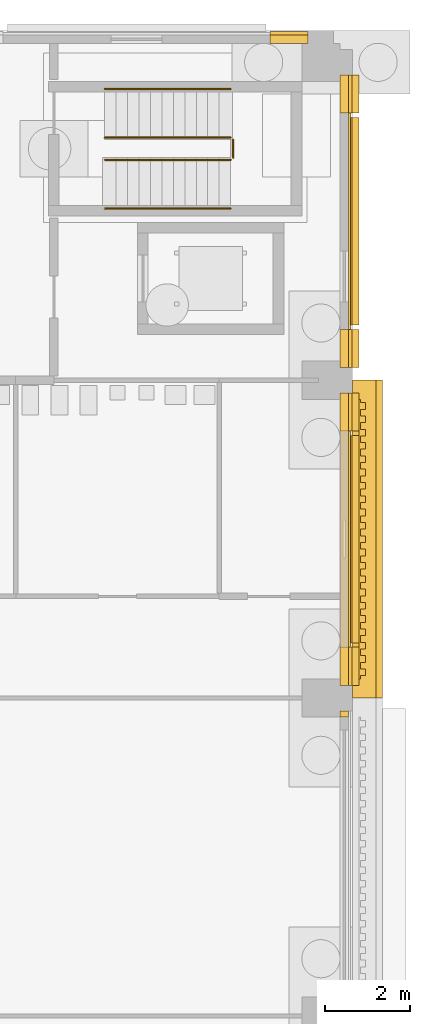
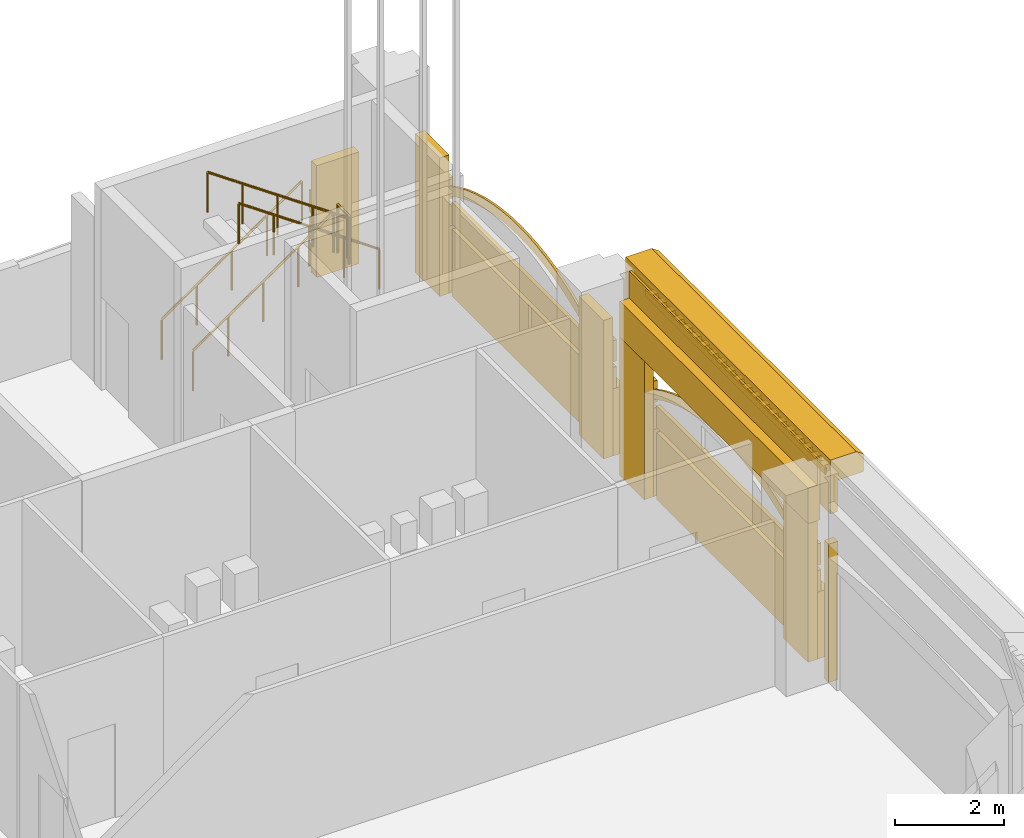
# One storey, part 90 of 99: 30 coverings, 5 railings.
"""IFC4 building model written with IfcOpenShell, lengths in metres."""

from ifc_helpers import new_model, si_unit, direction, frame, origin, origin_2d, place, context, subcontext, project, spatial, polyline, circle, outline, extrude, material, layer, layer_set, type_object, element, save


model = new_model("IFC4")

# Units and contexts
model_context = context("Model", 3, precision=1e-05, world=origin(), true_north=direction((0.0, 1.0)))
body_context = subcontext(model_context, "Body", "Model", "MODEL_VIEW")
ifc_project = project(units=[si_unit("LENGTHUNIT", "METRE"), si_unit("AREAUNIT", "SQUARE_METRE"), si_unit("VOLUMEUNIT", "CUBIC_METRE"), si_unit("PLANEANGLEUNIT", "RADIAN"), si_unit("MASSUNIT", "GRAM", prefix="KILO")], contexts=[model_context])

# Site, building, storey
site_placement = place(None, origin())
site = spatial("IfcSite", under=ifc_project, at=site_placement, CompositionType="ELEMENT")
building_placement = place(site_placement, origin())
building = spatial("IfcBuilding", under=site, at=building_placement, Name="Cour d'Honneur Mobility Palace", CompositionType="ELEMENT")
storey_placement = place(building_placement, origin())
storey = spatial("IfcBuildingStorey", under=building, at=storey_placement, Name="L00", CompositionType="ELEMENT", Elevation=0.0)

# Coverings
ifc_material_1 = material(Name="Cast limestone", Category="masonry")
ifc_layer_1 = layer(ifc_material_1, 0.050048828125)
ifc_layer_set_1 = layer_set([ifc_layer_1], Name="Cast limestone")
covering_type_1 = type_object("IfcCoveringType", Name="Arch hood", PredefinedType="CLADDING", material=ifc_layer_set_1)
for number, where, z_axis, x_axis, name in (
    (1, (163.0, 101.10009765625, 2.179931640625), (1.0, 0.0, 0.0), (0.0, 0.893466628376, 0.449129584839), "Arch hood AH-40"),
    (2, (163.0, 108.60009765625, 2.179931640625), (1.0, 0.0, 0.0), (0.0, 0.893466628376, 0.449129584839), "Arch hood AH-41"),
):
    element("IfcCovering", number, at=place(storey_placement, frame(where, z_axis=z_axis, x_axis=x_axis)), inside=storey, type_object=covering_type_1, Name=name, PredefinedType="CLADDING", context=body_context, shape_type="SweptSolid", body=[
        extrude(outline(polyline([(0.0, 0.0), (0.35659251896621735, 0.0), (0.7019994885684498, -0.022795326888668588), (1.0365522012474004, -0.0666397586034293), (1.3614544754480467, -0.13022567619190017), (1.6770364335570624, -0.21235277137119013), (1.9834088964060255, -0.3122569988605455), (2.2812274285521696, -0.4297213972129261), (2.5701654177709066, -0.564308533372167), (2.850768777841922, -0.7160195773922962), (3.122709726486599, -0.8849630099968336), (3.38566048142632, -1.0712473119092998), (3.6398380041081246, -1.2755280476869282), (3.8844770791972314, -1.4982403102778272), (4.119465715808033, -1.740694058742436), (4.343818226996622, -2.004306562810686), (4.556548925819088, -2.2904950922125074), (4.655344276390369, -2.0939586097498237), (4.44272322834545, -1.807551948846934), (4.218261066379314, -1.5441575762797524), (3.983272429768512, -1.3017038278151434), (3.7387430054569535, -1.078773433723176), (3.4844558319976, -0.8747108294466162), (3.221505077057879, -0.68842652753415), (2.949564128413202, -0.5194830949296125), (2.6689607683421865, -0.3677720509094833), (2.3800227791234496, -0.2331849147502425), (2.0822042469773057, -0.11572051639786185), (1.7758317841283424, -0.015816288908506504), (1.4603594767968753, 0.06652893777185187), (1.1353475518186806, 0.12989672385925438), (0.8007948391397299, 0.17374115557401504), (0.45549752031504603, 0.1967546139637521), (0.09879535057128006, 0.19653648246268365), (0.0, 0.0)])), origin(), (0.0, 0.0, -1.0), 0.050048828125),
    ])
ifc_material_2 = material(Name="Cast limestone", Category="masonry")
ifc_layer_2 = layer(ifc_material_2, 0.14990234375)
ifc_layer_set_2 = layer_set([ifc_layer_2], Name="Cast limestone")
covering_type_2 = type_object("IfcCoveringType", Name="Dentil course", PredefinedType="CLADDING", material=ifc_layer_set_2)
covering_1_placement = place(storey_placement, frame((0.0, 0.0, 3.949951171875)))
element("IfcCovering", 3, at=covering_1_placement, inside=storey, type_object=covering_type_2, Name="Dentil course DC-30", PredefinedType="CLADDING", context=body_context, shape_type="SweptSolid", body=[
    extrude(outline(polyline([(163.199951171875, 100.35009765625), (163.199951171875, 106.949951171875), (163.22998046875, 106.949951171875), (163.22998046875, 106.949951171875), (163.22998046875, 106.871337890625), (163.35009765625, 106.871337890625), (163.35009765625, 106.71435546875), (163.22998046875, 106.71435546875), (163.22998046875, 106.6357421875), (163.22998046875, 106.6357421875), (163.22998046875, 106.55712890625), (163.35009765625, 106.55712890625), (163.35009765625, 106.39990234375), (163.22998046875, 106.39990234375), (163.22998046875, 106.321533203125), (163.22998046875, 106.321533203125), (163.22998046875, 106.242919921875), (163.35009765625, 106.242919921875), (163.35009765625, 106.085693359375), (163.22998046875, 106.085693359375), (163.22998046875, 106.007080078125), (163.22998046875, 106.007080078125), (163.22998046875, 105.928466796875), (163.35009765625, 105.928466796875), (163.35009765625, 105.771484375), (163.22998046875, 105.771484375), (163.22998046875, 105.69287109375), (163.22998046875, 105.69287109375), (163.22998046875, 105.6142578125), (163.35009765625, 105.6142578125), (163.35009765625, 105.45703125), (163.22998046875, 105.45703125), (163.22998046875, 105.378662109375), (163.22998046875, 105.378662109375), (163.22998046875, 105.300048828125), (163.35009765625, 105.300048828125), (163.35009765625, 105.142822265625), (163.22998046875, 105.142822265625), (163.22998046875, 105.064208984375), (163.22998046875, 105.064208984375), (163.22998046875, 104.985595703125), (163.35009765625, 104.985595703125), (163.35009765625, 104.82861328125), (163.22998046875, 104.82861328125), (163.22998046875, 104.75), (163.22998046875, 104.75), (163.22998046875, 104.67138671875), (163.35009765625, 104.67138671875), (163.35009765625, 104.514404296875), (163.22998046875, 104.514404296875), (163.22998046875, 104.435791015625), (163.22998046875, 104.435791015625), (163.22998046875, 104.357177734375), (163.35009765625, 104.357177734375), (163.35009765625, 104.199951171875), (163.22998046875, 104.199951171875), (163.22998046875, 104.121337890625), (163.22998046875, 104.121337890625), (163.22998046875, 104.04296875), (163.35009765625, 104.04296875), (163.35009765625, 103.8857421875), (163.22998046875, 103.8857421875), (163.22998046875, 103.80712890625), (163.22998046875, 103.80712890625), (163.22998046875, 103.728515625), (163.35009765625, 103.728515625), (163.35009765625, 103.571533203125), (163.22998046875, 103.571533203125), (163.22998046875, 103.492919921875), (163.22998046875, 103.492919921875), (163.22998046875, 103.414306640625), (163.35009765625, 103.414306640625), (163.35009765625, 103.257080078125), (163.22998046875, 103.257080078125), (163.22998046875, 103.178466796875), (163.22998046875, 103.178466796875), (163.22998046875, 103.10009765625), (163.35009765625, 103.10009765625), (163.35009765625, 102.94287109375), (163.22998046875, 102.94287109375), (163.22998046875, 102.8642578125), (163.22998046875, 102.8642578125), (163.22998046875, 102.78564453125), (163.35009765625, 102.78564453125), (163.35009765625, 102.628662109375), (163.22998046875, 102.628662109375), (163.22998046875, 102.550048828125), (163.22998046875, 102.550048828125), (163.22998046875, 102.471435546875), (163.35009765625, 102.471435546875), (163.35009765625, 102.314208984375), (163.22998046875, 102.314208984375), (163.22998046875, 102.235595703125), (163.22998046875, 102.235595703125), (163.22998046875, 102.1572265625), (163.35009765625, 102.1572265625), (163.35009765625, 102.0), (163.22998046875, 102.0), (163.22998046875, 101.92138671875), (163.22998046875, 101.92138671875), (163.22998046875, 101.8427734375), (163.35009765625, 101.8427734375), (163.35009765625, 101.685791015625), (163.22998046875, 101.685791015625), (163.22998046875, 101.607177734375), (163.22998046875, 101.607177734375), (163.22998046875, 101.528564453125), (163.35009765625, 101.528564453125), (163.35009765625, 101.371337890625), (163.22998046875, 101.371337890625), (163.22998046875, 101.29296875), (163.22998046875, 101.29296875), (163.22998046875, 101.21435546875), (163.35009765625, 101.21435546875), (163.35009765625, 101.05712890625), (163.22998046875, 101.05712890625), (163.22998046875, 100.978515625), (163.22998046875, 100.978515625), (163.22998046875, 100.89990234375), (163.35009765625, 100.89990234375), (163.35009765625, 100.742919921875), (163.22998046875, 100.742919921875), (163.22998046875, 100.664306640625), (163.22998046875, 100.664306640625), (163.22998046875, 100.585693359375), (163.35009765625, 100.585693359375), (163.35009765625, 100.428466796875), (163.22998046875, 100.428466796875), (163.22998046875, 100.35009765625), (163.199951171875, 100.35009765625)])), origin(), (0.0, 0.0, 1.0), 0.150146484375),
])
ifc_material_3 = material(Name="Cast limestone", Category="masonry")
ifc_layer_3 = layer(ifc_material_3, 0.699951171875)
ifc_layer_set_3 = layer_set([ifc_layer_3], Name="Cast limestone")
covering_type_3 = type_object("IfcCoveringType", Name="Entablature", PredefinedType="CLADDING", material=ifc_layer_set_3)
covering_2_placement = place(storey_placement, frame((163.050048828125, 99.89990234375, 3.39990234375), z_axis=(0.0, -1.0, 0.0), x_axis=(1.0, 0.0, 0.0)))
element("IfcCovering", 4, at=covering_2_placement, inside=storey, type_object=covering_type_3, Name="Entablature EN-30", PredefinedType="CLADDING", context=body_context, shape_type="SweptSolid", body=[
    extrude(outline(polyline([(0.0, 0.0), (0.14990234375, 0.0), (0.14990234375, 0.7001953125), (0.699951171875, 0.7001953125), (0.699951171875, 1.10009765625), (0.550048828125, 1.2001953125), (0.0, 1.2001953125), (0.0, 0.0)])), origin(), (0.0, 0.0, -1.0), 7.5),
])

# Railings
ifc_material_4 = material(Name="Painted steel", Category="steel")
railing_type_1 = type_object("IfcRailingType", Name="Guardrail 1100", PredefinedType="GUARDRAIL", material=ifc_material_4)
railing_placement = place(storey_placement, frame((160.22998046875, 112.64990234375, 2.25)))
element("IfcRailing", 5, at=railing_placement, inside=storey, type_object=railing_type_1, Name="Landing guard ST-NE1", PredefinedType="GUARDRAIL", context=body_context, shape_type="SweptSolid", body=[
    extrude(circle(Radius=0.02490234375, at=origin_2d()), frame((0.0, 0.0, 1.0751953125), z_axis=(0.0, 1.0, 0.0), x_axis=(-1.0, 0.0, 0.0)), (0.0, 0.0, 1.0), 0.425048828125),
    extrude(circle(Radius=0.02099609375, at=origin_2d()), origin(), (0.0, 0.0, 1.0), 1.050048828125),
    extrude(circle(Radius=0.02099609375, at=origin_2d()), frame((0.0, 0.425048828125, 0.0)), (0.0, 0.0, 1.0), 1.050048828125),
])
ifc_material_5 = material(Name="Stainless steel", Category="steel")
railing_type_2 = type_object("IfcRailingType", Name="Handrail round 50", PredefinedType="HANDRAIL", material=ifc_material_5)
for number, where, name in (
    (6, (157.199951171875, 114.27490234375, 0.1875), "Handrail ST-NE1"),
    (7, (157.199951171875, 113.125, 0.1875), "Handrail ST-NE1"),
):
    element("IfcRailing", number, at=place(storey_placement, frame(where)), inside=storey, type_object=railing_type_2, Name=name, PredefinedType="HANDRAIL", context=body_context, shape_type="SweptSolid", body=[
        extrude(circle(Radius=0.02490234375, at=origin_2d()), frame((0.0, 0.0, 0.89501953125), z_axis=(0.821367329581, 0.0, 0.57039960545), x_axis=(0.0, 1.0, 0.0)), (0.0, 0.0, 1.0), 3.615966796875),
        extrude(circle(Radius=0.02099609375, at=origin_2d()), origin(), (0.0, 0.0, 1.0), 0.869873046875),
        extrude(circle(Radius=0.02099609375, at=origin_2d()), frame((0.742431640625, 0.0, 0.515625)), (0.0, 0.0, 1.0), 0.869873046875),
        extrude(circle(Radius=0.02099609375, at=origin_2d()), frame((1.48486328125, 0.0, 1.03125)), (0.0, 0.0, 1.0), 0.869873046875),
        extrude(circle(Radius=0.02099609375, at=origin_2d()), frame((2.2275390625, 0.0, 1.546875)), (0.0, 0.0, 1.0), 0.869873046875),
        extrude(circle(Radius=0.02099609375, at=origin_2d()), frame((2.969970703125, 0.0, 2.0625)), (0.0, 0.0, 1.0), 0.869873046875),
    ])
for number, where, name in (
    (8, (160.169921875, 112.60009765625, 2.4375), "Handrail ST-NE1"),
    (9, (160.169921875, 111.449951171875, 2.4375), "Handrail ST-NE1"),
):
    element("IfcRailing", number, at=place(storey_placement, frame(where)), inside=storey, type_object=railing_type_2, Name=name, PredefinedType="HANDRAIL", context=body_context, shape_type="SweptSolid", body=[
        extrude(circle(Radius=0.02490234375, at=origin_2d()), frame((0.0, 0.0, 0.89501953125), z_axis=(-0.821367329581, 0.0, 0.57039960545), x_axis=(0.0, -1.0, 0.0)), (0.0, 0.0, 1.0), 3.615966796875),
        extrude(circle(Radius=0.02099609375, at=origin_2d()), origin(), (0.0, 0.0, 1.0), 0.869873046875),
        extrude(circle(Radius=0.02099609375, at=origin_2d()), frame((-0.742431640625, 0.0, 0.515625)), (0.0, 0.0, 1.0), 0.869873046875),
        extrude(circle(Radius=0.02099609375, at=origin_2d()), frame((-1.48486328125, 0.0, 1.03125)), (0.0, 0.0, 1.0), 0.869873046875),
        extrude(circle(Radius=0.02099609375, at=origin_2d()), frame((-2.2275390625, 0.0, 1.546875)), (0.0, 0.0, 1.0), 0.869873046875),
        extrude(circle(Radius=0.02099609375, at=origin_2d()), frame((-2.969970703125, 0.0, 2.0625)), (0.0, 0.0, 1.0), 0.869873046875),
    ])

# Coverings
ifc_material_6 = material(Name="Cast limestone", Category="masonry")
ifc_layer_4 = layer(ifc_material_6, 0.25)
ifc_layer_set_4 = layer_set([ifc_layer_4], Name="Cast limestone")
covering_type_4 = type_object("IfcCoveringType", Name="Plinth course", PredefinedType="CLADDING", material=ifc_layer_set_4)
covering_3_placement = place(storey_placement, origin())
element("IfcCovering", 10, at=covering_3_placement, inside=storey, type_object=covering_type_4, Name="Plinth course PI-118", PredefinedType="CLADDING", context=body_context, shape_type="SweptSolid", body=[
    extrude(outline(polyline([(162.949951171875, 100.199951171875), (162.949951171875, 101.10009765625), (163.199951171875, 101.10009765625), (163.199951171875, 100.199951171875), (162.949951171875, 100.199951171875)])), origin(), (0.0, 0.0, 1.0), 1.5),
])
covering_4_placement = place(storey_placement, origin())
element("IfcCovering", 11, at=covering_4_placement, inside=storey, type_object=covering_type_4, Name="Plinth course PI-119", PredefinedType="CLADDING", context=body_context, shape_type="SweptSolid", body=[
    extrude(outline(polyline([(162.949951171875, 106.199951171875), (162.949951171875, 107.10009765625), (163.199951171875, 107.10009765625), (163.199951171875, 106.199951171875), (162.949951171875, 106.199951171875)])), origin(), (0.0, 0.0, 1.0), 1.5),
])
covering_5_placement = place(storey_placement, origin())
element("IfcCovering", 12, at=covering_5_placement, inside=storey, type_object=covering_type_4, Name="Plinth course PI-120", PredefinedType="CLADDING", context=body_context, shape_type="SweptSolid", body=[
    extrude(outline(polyline([(162.949951171875, 101.199951171875), (162.949951171875, 106.10009765625), (163.199951171875, 106.10009765625), (163.199951171875, 101.199951171875), (162.949951171875, 101.199951171875)])), origin(), (0.0, 0.0, 1.0), 1.5),
])
covering_6_placement = place(storey_placement, origin())
element("IfcCovering", 13, at=covering_6_placement, inside=storey, type_object=covering_type_4, Name="Plinth course PI-121", PredefinedType="CLADDING", context=body_context, shape_type="SweptSolid", body=[
    extrude(outline(polyline([(162.949951171875, 107.699951171875), (162.949951171875, 108.60009765625), (163.199951171875, 108.60009765625), (163.199951171875, 107.699951171875), (162.949951171875, 107.699951171875)])), origin(), (0.0, 0.0, 1.0), 1.5),
])
covering_7_placement = place(storey_placement, origin())
element("IfcCovering", 14, at=covering_7_placement, inside=storey, type_object=covering_type_4, Name="Plinth course PI-122", PredefinedType="CLADDING", context=body_context, shape_type="SweptSolid", body=[
    extrude(outline(polyline([(162.949951171875, 113.699951171875), (162.949951171875, 114.60009765625), (163.199951171875, 114.60009765625), (163.199951171875, 113.699951171875), (162.949951171875, 113.699951171875)])), origin(), (0.0, 0.0, 1.0), 1.5),
])
covering_8_placement = place(storey_placement, origin())
element("IfcCovering", 15, at=covering_8_placement, inside=storey, type_object=covering_type_4, Name="Plinth course PI-123", PredefinedType="CLADDING", context=body_context, shape_type="SweptSolid", body=[
    extrude(outline(polyline([(162.949951171875, 108.699951171875), (162.949951171875, 113.60009765625), (163.199951171875, 113.60009765625), (163.199951171875, 108.699951171875), (162.949951171875, 108.699951171875)])), origin(), (0.0, 0.0, 1.0), 1.5),
])
ifc_material_7 = material(Name="Cast limestone", Category="masonry")
ifc_layer_5 = layer(ifc_material_7, 0.199951171875)
ifc_layer_set_5 = layer_set([ifc_layer_5], Name="Cast limestone")
covering_type_5 = type_object("IfcCoveringType", Name="Rusticated jamb panel", PredefinedType="CLADDING", material=ifc_layer_set_5)
covering_9_placement = place(storey_placement, frame((162.949951171875, 99.449951171875, 0.0), z_axis=(1.0, 0.0, 0.0), x_axis=(0.0, 1.0, 0.0)))
element("IfcCovering", 16, at=covering_9_placement, inside=storey, type_object=covering_type_5, Name="Rusticated jamb panel RP-91", PredefinedType="CLADDING", context=body_context, shape_type="SweptSolid", body=[
    extrude(outline(polyline([(0.0, 0.0), (0.150146484375, 0.0), (0.150146484375, 3.10009765625), (0.0, 3.10009765625), (0.0, 0.0)])), origin(), (0.0, 0.0, -1.0), 0.199951171875),
])
for number, where, z_axis, x_axis, name in (
    (17, (162.949951171875, 100.199951171875, 0.0), (1.0, 0.0, 0.0), (0.0, 1.0, 0.0), "Rusticated jamb panel RP-92"),
    (18, (162.949951171875, 106.199951171875, 0.0), (1.0, 0.0, 0.0), (0.0, 1.0, 0.0), "Rusticated jamb panel RP-93"),
    (19, (162.949951171875, 107.699951171875, 0.0), (1.0, 0.0, 0.0), (0.0, 1.0, 0.0), "Rusticated jamb panel RP-94"),
    (20, (162.949951171875, 113.699951171875, 0.0), (1.0, 0.0, 0.0), (0.0, 1.0, 0.0), "Rusticated jamb panel RP-95"),
):
    element("IfcCovering", number, at=place(storey_placement, frame(where, z_axis=z_axis, x_axis=x_axis)), inside=storey, type_object=covering_type_5, Name=name, PredefinedType="CLADDING", context=body_context, shape_type="SweptSolid", body=[
        extrude(outline(polyline([(0.0, 0.0), (0.900146484375, 0.0), (0.900146484375, 3.10009765625), (0.0, 3.10009765625), (0.0, 0.0)])), origin(), (0.0, 0.0, -1.0), 0.199951171875),
    ])
covering_10_placement = place(storey_placement, frame((162.0, 115.550048828125, 0.0), z_axis=(0.0, 1.0, 0.0), x_axis=(-1.0, 0.0, 0.0)))
element("IfcCovering", 21, at=covering_10_placement, inside=storey, type_object=covering_type_5, Name="Rusticated jamb panel RP-96", PredefinedType="CLADDING", context=body_context, shape_type="SweptSolid", body=[
    extrude(outline(polyline([(0.0, 0.0), (0.89990234375, 0.0), (0.89990234375, 2.5), (0.0, 2.5), (0.0, 0.0)])), origin(), (0.0, 0.0, -1.0), 0.199951171875),
])
ifc_material_8 = material(Name="Cast limestone", Category="masonry")
ifc_layer_6 = layer(ifc_material_8, 0.080078125)
ifc_layer_set_6 = layer_set([ifc_layer_6], Name="Cast limestone")
covering_type_6 = type_object("IfcCoveringType", Name="Rustication course", PredefinedType="CLADDING", material=ifc_layer_set_6)
for number, where, name in (
    (22, (0.0, 0.0, 1.5), "Rustication course RC-196"),
    (23, (0.0, 0.0, 2.10009765625), "Rustication course RC-197"),
):
    element("IfcCovering", number, at=place(storey_placement, frame(where)), inside=storey, type_object=covering_type_6, Name=name, PredefinedType="CLADDING", context=body_context, shape_type="SweptSolid", body=[
        extrude(outline(polyline([(162.949951171875, 100.199951171875), (162.949951171875, 101.10009765625), (163.030029296875, 101.10009765625), (163.030029296875, 100.199951171875), (162.949951171875, 100.199951171875)])), origin(), (0.0, 0.0, 1.0), 0.47998046875),
    ])
for number, where, name in (
    (24, (0.0, 0.0, 1.5), "Rustication course RC-198"),
    (25, (0.0, 0.0, 2.10009765625), "Rustication course RC-199"),
):
    element("IfcCovering", number, at=place(storey_placement, frame(where)), inside=storey, type_object=covering_type_6, Name=name, PredefinedType="CLADDING", context=body_context, shape_type="SweptSolid", body=[
        extrude(outline(polyline([(162.949951171875, 106.199951171875), (162.949951171875, 107.10009765625), (163.030029296875, 107.10009765625), (163.030029296875, 106.199951171875), (162.949951171875, 106.199951171875)])), origin(), (0.0, 0.0, 1.0), 0.47998046875),
    ])
covering_11_placement = place(storey_placement, frame((0.0, 0.0, 1.6201171875)))
element("IfcCovering", 26, at=covering_11_placement, inside=storey, type_object=covering_type_6, Name="Rustication course RC-200", PredefinedType="CLADDING", context=body_context, shape_type="SweptSolid", body=[
    extrude(outline(polyline([(162.949951171875, 101.199951171875), (162.949951171875, 106.10009765625), (163.030029296875, 106.10009765625), (163.030029296875, 101.199951171875), (162.949951171875, 101.199951171875)])), origin(), (0.0, 0.0, 1.0), 0.47998046875),
])
for number, where, name in (
    (27, (0.0, 0.0, 1.5), "Rustication course RC-201"),
    (28, (0.0, 0.0, 2.10009765625), "Rustication course RC-202"),
):
    element("IfcCovering", number, at=place(storey_placement, frame(where)), inside=storey, type_object=covering_type_6, Name=name, PredefinedType="CLADDING", context=body_context, shape_type="SweptSolid", body=[
        extrude(outline(polyline([(162.949951171875, 107.699951171875), (162.949951171875, 108.60009765625), (163.030029296875, 108.60009765625), (163.030029296875, 107.699951171875), (162.949951171875, 107.699951171875)])), origin(), (0.0, 0.0, 1.0), 0.47998046875),
    ])
for number, where, name in (
    (29, (0.0, 0.0, 1.5), "Rustication course RC-203"),
    (30, (0.0, 0.0, 2.10009765625), "Rustication course RC-204"),
):
    element("IfcCovering", number, at=place(storey_placement, frame(where)), inside=storey, type_object=covering_type_6, Name=name, PredefinedType="CLADDING", context=body_context, shape_type="SweptSolid", body=[
        extrude(outline(polyline([(162.949951171875, 113.699951171875), (162.949951171875, 114.60009765625), (163.030029296875, 114.60009765625), (163.030029296875, 113.699951171875), (162.949951171875, 113.699951171875)])), origin(), (0.0, 0.0, 1.0), 0.47998046875),
    ])
covering_12_placement = place(storey_placement, frame((0.0, 0.0, 1.6201171875)))
element("IfcCovering", 31, at=covering_12_placement, inside=storey, type_object=covering_type_6, Name="Rustication course RC-205", PredefinedType="CLADDING", context=body_context, shape_type="SweptSolid", body=[
    extrude(outline(polyline([(162.949951171875, 108.699951171875), (162.949951171875, 113.60009765625), (163.030029296875, 113.60009765625), (163.030029296875, 108.699951171875), (162.949951171875, 108.699951171875)])), origin(), (0.0, 0.0, 1.0), 0.47998046875),
])
for number, where, name in (
    (32, (0.0, 0.0, 0.1201171875), "Rustication course RC-206"),
    (33, (0.0, 0.0, 0.719970703125), "Rustication course RC-207"),
    (34, (0.0, 0.0, 1.320068359375), "Rustication course RC-208"),
):
    element("IfcCovering", number, at=place(storey_placement, frame(where)), inside=storey, type_object=covering_type_6, Name=name, PredefinedType="CLADDING", context=body_context, shape_type="SweptSolid", body=[
        extrude(outline(polyline([(162.0, 115.550048828125), (161.10009765625, 115.550048828125), (161.10009765625, 115.6298828125), (162.0, 115.6298828125), (162.0, 115.550048828125)])), origin(), (0.0, 0.0, 1.0), 0.47998046875),
    ])
ifc_material_9 = material(Name="Cast limestone", Category="masonry")
ifc_layer_7 = layer(ifc_material_9, 0.25)
ifc_layer_set_7 = layer_set([ifc_layer_7], Name="Cast limestone")
covering_type_7 = type_object("IfcCoveringType", Name="Spandrel cladding", PredefinedType="CLADDING", material=ifc_layer_set_7)
covering_13_placement = place(storey_placement, frame((162.75, 100.199951171875, 3.10009765625), z_axis=(0.0, -1.0, 0.0), x_axis=(1.0, 0.0, 0.0)))
element("IfcCovering", 35, at=covering_13_placement, inside=storey, type_object=covering_type_7, Name="Spandrel cladding SK-30", PredefinedType="CLADDING", context=body_context, shape_type="SweptSolid", body=[
    extrude(outline(polyline([(0.0, 0.0), (0.25, 0.0), (0.25, 1.39990234375), (0.199951171875, 1.39990234375), (0.199951171875, 0.7998046875), (0.0, 0.7998046875), (0.0, 0.0)])), origin(), (0.0, 0.0, -1.0), 6.89990234375),
])

save(model, "model.ifc")
